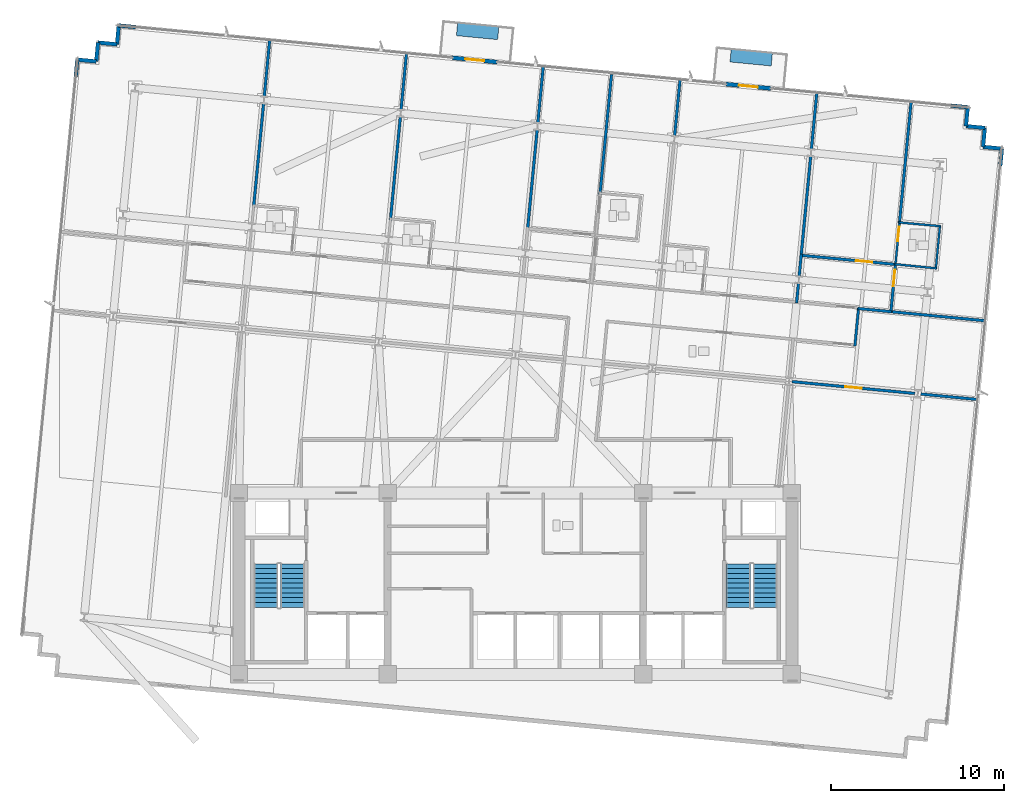
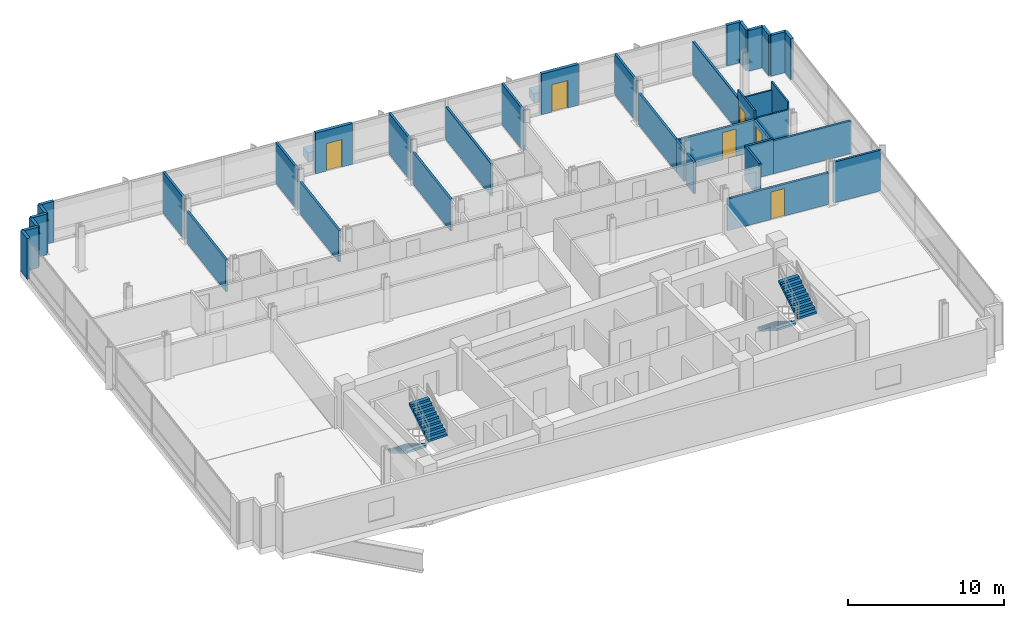
# One storey, part 13 of 18: 38 walls, 6 doors, 4 stair flights, 2 discrete accessories, 6 openings, 2 elements without a shape of their own.
"""IFC4 building model written with IfcOpenShell, lengths in metres."""

from ifc_helpers import new_model, si_unit, direction, frame, frame_2d, origin, origin_2d, place, context, subcontext, project, spatial, polyline, rectangle, outline, extrude, material, layer, layer_set, type_object, element, fill, aggregate, save


model = new_model("IFC4")

# Units and contexts
model_context = context("Model", 3, precision=1e-05, world=origin(), true_north=direction((0.0, 1.0)))
body_context = subcontext(model_context, "Body", "Model", "MODEL_VIEW")
ifc_project = project(units=[si_unit("LENGTHUNIT", "METRE"), si_unit("AREAUNIT", "SQUARE_METRE"), si_unit("VOLUMEUNIT", "CUBIC_METRE"), si_unit("PLANEANGLEUNIT", "RADIAN"), si_unit("MASSUNIT", "GRAM", prefix="KILO")], contexts=[model_context])

# Site, building, storey
site_placement = place(None, origin())
site = spatial("IfcSite", under=ifc_project, at=site_placement, CompositionType="ELEMENT")
building_placement = place(site_placement, origin())
building = spatial("IfcBuilding", under=site, at=building_placement, Name="Solmavex Isthmus Hotel", CompositionType="ELEMENT")
storey_placement = place(building_placement, frame((0.0, 0.0, 135.89990234375)))
storey = spatial("IfcBuildingStorey", under=building, at=storey_placement, Name="L36", CompositionType="ELEMENT", Elevation=135.89990234375)

# Wall, opening, door
ifc_material_1 = material(Name="Precast Concrete C40/50", Category="concrete")
ifc_layer_1 = layer(ifc_material_1, 0.25)
ifc_layer_set_1 = layer_set([ifc_layer_1], Name="Precast Concrete C40/50")
wall_type_1 = type_object("IfcWallType", Name="EW-TWR-250", PredefinedType="STANDARD", material=ifc_layer_set_1)
wall_1_placement = place(storey_placement, frame((-3.64404296875, 22.698974609375, 0.0), z_axis=(0.0, 0.0, 1.0), x_axis=(0.995393186867, -0.095877022999, 0.0)))
wall_1 = element("IfcWall", 1, at=wall_1_placement, inside=storey, type_object=wall_type_1, Name="Exterior Balcony Door Wall L36-2", PredefinedType="STANDARD", context=body_context, shape_type="SweptSolid", body=[
    extrude(rectangle(XDim=2.599853515625, YDim=0.239990234375, at=frame_2d((1.2998046875, 0.0))), origin(), (0.0, 0.0, 1.0), 3.190185546875),
])
opening_1_placement = place(wall_1_placement, frame((0.75, 0.0, 0.0)))
opening_1 = element("IfcOpeningElement", 2, at=opening_1_placement, cuts=wall_1, Name="Opening ED-02", PredefinedType="OPENING", context=body_context, shape_type="SweptSolid", body=[
    extrude(rectangle(XDim=1.10009765625, YDim=2.14990234375, at=frame_2d((0.550048828125, 1.074951171875))), frame((0.0, 0.1298828125, 0.0), z_axis=(0.0, -1.0, 0.0), x_axis=(1.0, 0.0, 0.0)), (0.0, 0.0, 1.0), 0.260009765625),
])
ifc_material_2 = material(Name="Aluminium alloy 6063-T6", Category="aluminium")
door_type_1 = type_object("IfcDoorType", Name="EDR-BALC-1100", OperationType="NOTDEFINED", PredefinedType="DOOR", material=ifc_material_2)
door_1_placement = place(opening_1_placement, origin())
door_1 = element("IfcDoor", 3, at=door_1_placement, inside=storey, type_object=door_type_1, Name="Balcony & Terrace Glazed Door L36-2", OperationType="SINGLE_SWING_RIGHT", OverallHeight=2.14990234375, OverallWidth=1.10009765625, PredefinedType="DOOR", context=body_context, shape_type="SweptSolid", body=[
    extrude(rectangle(XDim=1.10009765625, YDim=2.14990234375, at=frame_2d((0.550048828125, 1.074951171875))), frame((0.0, 0.02490234375, 0.0), z_axis=(0.0, -1.0, 0.0), x_axis=(1.0, 0.0, 0.0)), (0.0, 0.0, 1.0), 0.050048828125),
])
fill(opening_1, door_1)

wall_2_placement = place(storey_placement, frame((12.194580078125, 21.173828125, 0.0), z_axis=(0.0, 0.0, 1.0), x_axis=(0.995394049959, -0.095868061976, 0.0)))
wall_2 = element("IfcWall", 4, at=wall_2_placement, inside=storey, type_object=wall_type_1, Name="Exterior Balcony Door Wall L36-3", PredefinedType="STANDARD", context=body_context, shape_type="SweptSolid", body=[
    extrude(rectangle(XDim=2.60009765625, YDim=0.239990234375, at=frame_2d((1.300048828125, 0.0))), origin(), (0.0, 0.0, 1.0), 3.190185546875),
])
opening_2_placement = place(wall_2_placement, frame((0.75, 0.0, 0.0)))
opening_2 = element("IfcOpeningElement", 5, at=opening_2_placement, cuts=wall_2, Name="Opening ED-02", PredefinedType="OPENING", context=body_context, shape_type="SweptSolid", body=[
    extrude(rectangle(XDim=1.10009765625, YDim=2.14990234375, at=frame_2d((0.550048828125, 1.074951171875))), frame((0.0, 0.1298828125, 0.0), z_axis=(0.0, -1.0, 0.0), x_axis=(1.0, 0.0, 0.0)), (0.0, 0.0, 1.0), 0.260009765625),
])
door_2_placement = place(opening_2_placement, origin())
door_2 = element("IfcDoor", 6, at=door_2_placement, inside=storey, type_object=door_type_1, Name="Balcony & Terrace Glazed Door L36-3", OperationType="SINGLE_SWING_LEFT", OverallHeight=2.14990234375, OverallWidth=1.10009765625, PredefinedType="DOOR", context=body_context, shape_type="SweptSolid", body=[
    extrude(rectangle(XDim=1.10009765625, YDim=2.14990234375, at=frame_2d((0.550048828125, 1.074951171875))), frame((0.0, 0.02490234375, 0.0), z_axis=(0.0, -1.0, 0.0), x_axis=(1.0, 0.0, 0.0)), (0.0, 0.0, 1.0), 0.050048828125),
])
fill(opening_2, door_2)

# Walls
wall_3_placement = place(storey_placement, frame((-25.46142578125, 21.60498046875, 0.0), z_axis=(0.0, 0.0, 1.0), x_axis=(0.095937974524, 0.995387314086, 0.0)))
element("IfcWall", 7, at=wall_3_placement, inside=storey, type_object=wall_type_1, Name="Serrated Corner Facade Panel L36-07", PredefinedType="STANDARD", context=body_context, shape_type="SweptSolid", body=[
    extrude(rectangle(XDim=0.989990234375, YDim=0.219970703125, at=frame_2d((0.4951171875, 0.0))), origin(), (0.0, 0.0, 1.0), 3.190185546875),
])
for number, where, z_axis, x_axis, name in (
    (8, (-25.366455078125, 22.59033203125, 0.0), (0.0, 0.0, 1.0), (0.995414313875, -0.095657429048, 0.0), "Serrated Corner Facade Panel L36-08"),
    (9, (-24.271484375, 22.485107421875, 0.0), (0.0, 0.0, 1.0), (0.095657429048, 0.995414313875, 0.0), "Serrated Corner Facade Panel L36-09"),
    (10, (-24.166259765625, 23.580078125, 0.0), (0.0, 0.0, 1.0), (0.995393156894, -0.095877334176, 0.0), "Serrated Corner Facade Panel L36-10"),
    (11, (-23.0712890625, 23.474609375, 0.0), (0.0, 0.0, 1.0), (0.095877334176, 0.995393156894, 0.0), "Serrated Corner Facade Panel L36-11"),
):
    element("IfcWall", number, at=place(storey_placement, frame(where, z_axis=z_axis, x_axis=x_axis)), inside=storey, type_object=wall_type_1, Name=name, PredefinedType="STANDARD", context=body_context, shape_type="SweptSolid", body=[
        extrude(rectangle(XDim=1.10009765625, YDim=0.219970703125, at=frame_2d((0.550048828125, 0.0))), origin(), (0.0, 0.0, 1.0), 3.190185546875),
    ])
for number, where, z_axis, x_axis, name in (
    (12, (-22.9658203125, 24.569580078125, 0.0), (0.0, 0.0, 1.0), (0.995387314086, -0.095937974524, 0.0), "Serrated Corner Facade Panel L36-12"),
    (13, (25.201416015625, 19.931396484375, 0.0), (0.0, 0.0, 1.0), (0.99541083642, -0.095693608655, 0.0), "Serrated Corner Facade Panel L36-14"),
):
    element("IfcWall", number, at=place(storey_placement, frame(where, z_axis=z_axis, x_axis=x_axis)), inside=storey, type_object=wall_type_1, Name=name, PredefinedType="STANDARD", context=body_context, shape_type="SweptSolid", body=[
        extrude(rectangle(XDim=0.989990234375, YDim=0.219970703125, at=frame_2d((0.4951171875, 0.0))), origin(), (0.0, 0.0, 1.0), 3.190185546875),
    ])
wall_4_placement = place(storey_placement, frame((26.186767578125, 19.836669921875, 0.0), z_axis=(0.0, 0.0, 1.0), x_axis=(-0.095657429048, -0.995414313875, 0.0)))
element("IfcWall", 14, at=wall_4_placement, inside=storey, type_object=wall_type_1, Name="Serrated Corner Facade Panel L36-15", PredefinedType="STANDARD", context=body_context, shape_type="SweptSolid", body=[
    extrude(rectangle(XDim=1.10009765625, YDim=0.219970703125, at=frame_2d((0.550048828125, 0.0))), origin(), (0.0, 0.0, 1.0), 3.190185546875),
])
wall_5_placement = place(storey_placement, frame((26.08154296875, 18.74169921875, 0.0), z_axis=(0.0, 0.0, 1.0), x_axis=(0.995391116058, -0.095898519656, 0.0)))
element("IfcWall", 15, at=wall_5_placement, inside=storey, type_object=wall_type_1, Name="Serrated Corner Facade Panel L36-16", PredefinedType="STANDARD", context=body_context, shape_type="SweptSolid", body=[
    extrude(rectangle(XDim=1.099853515625, YDim=0.219970703125, at=frame_2d((0.5498046875, 0.0))), origin(), (0.0, 0.0, 1.0), 3.190185546875),
])
wall_6_placement = place(storey_placement, frame((27.17626953125, 18.63623046875, 0.0), z_axis=(0.0, 0.0, 1.0), x_axis=(-0.095657429048, -0.995414313875, 0.0)))
element("IfcWall", 16, at=wall_6_placement, inside=storey, type_object=wall_type_1, Name="Serrated Corner Facade Panel L36-17", PredefinedType="STANDARD", context=body_context, shape_type="SweptSolid", body=[
    extrude(rectangle(XDim=1.10009765625, YDim=0.219970703125, at=frame_2d((0.550048828125, 0.0))), origin(), (0.0, 0.0, 1.0), 3.190185546875),
])
wall_7_placement = place(storey_placement, frame((27.071044921875, 17.541259765625, 0.0), z_axis=(0.0, 0.0, 1.0), x_axis=(0.995391116058, -0.095898519656, 0.0)))
element("IfcWall", 17, at=wall_7_placement, inside=storey, type_object=wall_type_1, Name="Serrated Corner Facade Panel L36-18", PredefinedType="STANDARD", context=body_context, shape_type="SweptSolid", body=[
    extrude(rectangle(XDim=1.099853515625, YDim=0.219970703125, at=frame_2d((0.5498046875, 0.0))), origin(), (0.0, 0.0, 1.0), 3.190185546875),
])
wall_8_placement = place(storey_placement, frame((28.165771484375, 17.435791015625, 0.0), z_axis=(0.0, 0.0, 1.0), x_axis=(-0.095693608655, -0.99541083642, 0.0)))
element("IfcWall", 18, at=wall_8_placement, inside=storey, type_object=wall_type_1, Name="Serrated Corner Facade Panel L36-19", PredefinedType="STANDARD", context=body_context, shape_type="SweptSolid", body=[
    extrude(rectangle(XDim=0.989990234375, YDim=0.219970703125, at=frame_2d((0.4951171875, 0.0))), origin(), (0.0, 0.0, 1.0), 3.190185546875),
])
ifc_material_3 = material(Name="Gypsum plasterboard lining", Category="gypsum")
ifc_layer_2 = layer(ifc_material_3, 0.159912109375)
ifc_layer_set_2 = layer_set([ifc_layer_2], Name="Gypsum plasterboard lining")
wall_type_2 = type_object("IfcWallType", Name="IW-COMP-160", PredefinedType="PARTITIONING", material=ifc_layer_set_2)
wall_9_placement = place(storey_placement, frame((-14.57958984375, 20.0791015625, 0.0), z_axis=(0.0, 0.0, 1.0), x_axis=(-0.095823018237, -0.995398387168, 0.0)))
element("IfcWall", 19, at=wall_9_placement, inside=storey, type_object=wall_type_2, Name="Interior Partition Wall W-L36-P025", PredefinedType="PARTITIONING", context=body_context, shape_type="SweptSolid", body=[
    extrude(rectangle(XDim=6.05615234375, YDim=0.159912109375, at=frame_2d((3.028076171875, 0.0))), origin(), (0.0, 0.0, 1.0), 2.4794921875),
])
wall_10_placement = place(storey_placement, frame((-14.225341796875, 23.758056640625, 0.0), z_axis=(0.0, 0.0, 1.0), x_axis=(-0.095859866796, -0.995394839216, 0.0)))
element("IfcWall", 20, at=wall_10_placement, inside=storey, type_object=wall_type_2, Name="Interior Partition Wall W-L36-P026", PredefinedType="PARTITIONING", context=body_context, shape_type="SweptSolid", body=[
    extrude(rectangle(XDim=3.343994140625, YDim=0.159912109375, at=frame_2d((1.671875, 0.0))), origin(), (0.0, 0.0, 1.0), 3.190185546875),
])
wall_11_placement = place(storey_placement, frame((-6.66015625, 19.31640625, 0.0), z_axis=(0.0, 0.0, 1.0), x_axis=(-0.095866807264, -0.995394170801, 0.0)))
element("IfcWall", 21, at=wall_11_placement, inside=storey, type_object=wall_type_2, Name="Interior Partition Wall W-L36-P032", PredefinedType="PARTITIONING", context=body_context, shape_type="SweptSolid", body=[
    extrude(rectangle(XDim=6.055908203125, YDim=0.159912109375, at=frame_2d((3.02783203125, 0.0))), origin(), (0.0, 0.0, 1.0), 2.4794921875),
])
wall_12_placement = place(storey_placement, frame((-6.305908203125, 22.995361328125, 0.0), z_axis=(0.0, 0.0, 1.0), x_axis=(-0.095859866796, -0.995394839216, 0.0)))
element("IfcWall", 22, at=wall_12_placement, inside=storey, type_object=wall_type_2, Name="Interior Partition Wall W-L36-P033", PredefinedType="PARTITIONING", context=body_context, shape_type="SweptSolid", body=[
    extrude(rectangle(XDim=3.343994140625, YDim=0.159912109375, at=frame_2d((1.671875, 0.0))), origin(), (0.0, 0.0, 1.0), 3.190185546875),
])
wall_13_placement = place(storey_placement, frame((1.259033203125, 18.553955078125, 0.0), z_axis=(0.0, 0.0, 1.0), x_axis=(-0.095804555936, -0.995400164287, 0.0)))
element("IfcWall", 23, at=wall_13_placement, inside=storey, type_object=wall_type_2, Name="Interior Partition Wall W-L36-P040", PredefinedType="PARTITIONING", context=body_context, shape_type="SweptSolid", body=[
    extrude(rectangle(XDim=5.85595703125, YDim=0.159912109375, at=frame_2d((2.927978515625, 0.0))), origin(), (0.0, 0.0, 1.0), 2.4794921875),
])
wall_14_placement = place(storey_placement, frame((1.61328125, 22.23291015625, 0.0), z_axis=(0.0, 0.0, 1.0), x_axis=(-0.095787528641, -0.99540180297, 0.0)))
element("IfcWall", 24, at=wall_14_placement, inside=storey, type_object=wall_type_2, Name="Interior Partition Wall W-L36-P041", PredefinedType="PARTITIONING", context=body_context, shape_type="SweptSolid", body=[
    extrude(rectangle(XDim=3.343994140625, YDim=0.159912109375, at=frame_2d((1.671875, 0.0))), origin(), (0.0, 0.0, 1.0), 3.190185546875),
])
wall_15_placement = place(storey_placement, frame((5.5615234375, 21.732177734375, 0.0), z_axis=(0.0, 0.0, 1.0), x_axis=(-0.095848800605, -0.995395904865, 0.0)))
element("IfcWall", 25, at=wall_15_placement, inside=storey, type_object=wall_type_2, Name="Interior Partition Wall W-L36-P044", PredefinedType="PARTITIONING", context=body_context, shape_type="SweptSolid", body=[
    extrude(rectangle(XDim=6.991943359375, YDim=0.159912109375, at=frame_2d((3.49609375, 0.0))), origin(), (0.0, 0.0, 1.0), 2.5576171875),
])
wall_16_placement = place(storey_placement, frame((9.53271484375, 21.470458984375, 0.0), z_axis=(0.0, 0.0, 1.0), x_axis=(-0.095859866796, -0.995394839216, 0.0)))
element("IfcWall", 26, at=wall_16_placement, inside=storey, type_object=wall_type_2, Name="Interior Partition Wall W-L36-P050", PredefinedType="PARTITIONING", context=body_context, shape_type="SweptSolid", body=[
    extrude(rectangle(XDim=3.343994140625, YDim=0.159912109375, at=frame_2d((1.671875, 0.0))), origin(), (0.0, 0.0, 1.0), 3.190185546875),
])
wall_17_placement = place(storey_placement, frame((16.389404296875, 9.6708984375, 0.0), z_axis=(0.0, 0.0, 1.0), x_axis=(-0.095811626391, -0.995399483749, 0.0)))
element("IfcWall", 27, at=wall_17_placement, inside=storey, type_object=wall_type_2, Name="Interior Partition Wall W-L36-P055", PredefinedType="PARTITIONING", context=body_context, shape_type="SweptSolid", body=[
    extrude(rectangle(XDim=1.172119140625, YDim=0.159912109375, at=frame_2d((0.5859375, 0.0))), origin(), (0.0, 0.0, 1.0), 2.4794921875),
])
wall_18_placement = place(storey_placement, frame((16.550537109375, 11.343017578125, 0.0), z_axis=(0.0, 0.0, 1.0), x_axis=(-0.095971644562, -0.995384068307, 0.0)))
element("IfcWall", 28, at=wall_18_placement, inside=storey, type_object=wall_type_2, Name="Interior Partition Wall W-L36-P056", PredefinedType="PARTITIONING", context=body_context, shape_type="SweptSolid", body=[
    extrude(rectangle(XDim=1.327880859375, YDim=0.159912109375, at=frame_2d((0.6640625, 0.0))), origin(), (0.0, 0.0, 1.0), 2.4794921875),
])
wall_19_placement = place(storey_placement, frame((17.097900390625, 17.02880859375, 0.0), z_axis=(0.0, 0.0, 1.0), x_axis=(-0.095854120743, -0.995395392563, 0.0)))
element("IfcWall", 29, at=wall_19_placement, inside=storey, type_object=wall_type_2, Name="Interior Partition Wall W-L36-P057", PredefinedType="PARTITIONING", context=body_context, shape_type="SweptSolid", body=[
    extrude(rectangle(XDim=5.8759765625, YDim=0.159912109375, at=frame_2d((2.93798828125, 0.0))), origin(), (0.0, 0.0, 1.0), 2.4794921875),
])
wall_20_placement = place(storey_placement, frame((17.4521484375, 20.707763671875, 0.0), z_axis=(0.0, 0.0, 1.0), x_axis=(-0.095859866796, -0.995394839216, 0.0)))
element("IfcWall", 30, at=wall_20_placement, inside=storey, type_object=wall_type_2, Name="Interior Partition Wall W-L36-P058", PredefinedType="PARTITIONING", context=body_context, shape_type="SweptSolid", body=[
    extrude(rectangle(XDim=3.343994140625, YDim=0.159912109375, at=frame_2d((1.671875, 0.0))), origin(), (0.0, 0.0, 1.0), 3.190185546875),
])

# Wall, opening, door
wall_21_placement = place(storey_placement, frame((16.502685546875, 11.265380859375, 0.0), z_axis=(0.0, 0.0, 1.0), x_axis=(0.995393742275, -0.095871256584, 0.0)))
wall_21 = element("IfcWall", 31, at=wall_21_placement, inside=storey, type_object=wall_type_2, Name="Interior Partition Wall W-L36-P059", PredefinedType="PARTITIONING", context=body_context, shape_type="SweptSolid", body=[
    extrude(rectangle(XDim=5.564208984375, YDim=0.159912109375, at=frame_2d((2.7822265625, 0.0))), origin(), (0.0, 0.0, 1.0), 2.4794921875),
])
opening_3_placement = place(wall_21_placement, frame((3.228271484375, 0.0, 0.0)))
opening_3 = element("IfcOpeningElement", 32, at=opening_3_placement, cuts=wall_21, Name="Opening ID-C095", PredefinedType="OPENING", context=body_context, shape_type="SweptSolid", body=[
    extrude(rectangle(XDim=0.949951171875, YDim=2.14990234375, at=frame_2d((0.47509765625, 1.074951171875))), frame((0.0, 0.08984375, 0.0), z_axis=(0.0, -1.0, 0.0), x_axis=(1.0, 0.0, 0.0)), (0.0, 0.0, 1.0), 0.179931640625),
])
ifc_material_4 = material(Name="Hardwood timber", Category="wood")
door_type_2 = type_object("IfcDoorType", Name="IDR-FD60-0950", OperationType="NOTDEFINED", PredefinedType="DOOR", material=ifc_material_4)
door_3_placement = place(opening_3_placement, origin())
door_3 = element("IfcDoor", 33, at=door_3_placement, inside=storey, type_object=door_type_2, Name="Premier Hospitality Suite Master Bedroom Door L36-13", OperationType="SINGLE_SWING_LEFT", OverallHeight=2.14990234375, OverallWidth=0.949951171875, PredefinedType="DOOR", context=body_context, shape_type="SweptSolid", body=[
    extrude(rectangle(XDim=0.949951171875, YDim=2.14990234375, at=frame_2d((0.47509765625, 1.074951171875))), frame((0.0, 0.02490234375, 0.0), z_axis=(0.0, -1.0, 0.0), x_axis=(1.0, 0.0, 0.0)), (0.0, 0.0, 1.0), 0.050048828125),
])
fill(opening_3, door_3)

wall_22_placement = place(storey_placement, frame((22.006103515625, 10.78564453125, 0.0), z_axis=(0.0, 0.0, 1.0), x_axis=(-0.095851639102, -0.995395631536, 0.0)))
wall_22 = element("IfcWall", 34, at=wall_22_placement, inside=storey, type_object=wall_type_2, Name="Interior Partition Wall W-L36-P060", PredefinedType="PARTITIONING", context=body_context, shape_type="SweptSolid", body=[
    extrude(rectangle(XDim=2.840087890625, YDim=0.159912109375, at=frame_2d((1.419921875, 0.0))), origin(), (0.0, 0.0, 1.0), 2.4794921875),
])
opening_4_placement = place(wall_22_placement, frame((0.365478515625, 0.0, 0.0)))
opening_4 = element("IfcOpeningElement", 35, at=opening_4_placement, cuts=wall_22, Name="Opening ID-C095", PredefinedType="OPENING", context=body_context, shape_type="SweptSolid", body=[
    extrude(rectangle(XDim=0.949951171875, YDim=2.14990234375, at=frame_2d((0.47509765625, 1.074951171875))), frame((0.0, 0.08984375, 0.0), z_axis=(0.0, -1.0, 0.0), x_axis=(1.0, 0.0, 0.0)), (0.0, 0.0, 1.0), 0.179931640625),
])
door_4_placement = place(opening_4_placement, frame((0.949951171875, 0.0, 0.0), z_axis=(0.0, 0.0, 1.0), x_axis=(-1.0, 0.0, 0.0)))
door_4 = element("IfcDoor", 36, at=door_4_placement, inside=storey, type_object=door_type_2, Name="Premier Hospitality Suite Living Lounge Door L36-14", OperationType="SINGLE_SWING_RIGHT", OverallHeight=2.14990234375, OverallWidth=0.949951171875, PredefinedType="DOOR", context=body_context, shape_type="SweptSolid", body=[
    extrude(rectangle(XDim=0.949951171875, YDim=2.14990234375, at=frame_2d((0.47509765625, 1.074951171875))), frame((0.0, 0.02490234375, 0.0), z_axis=(0.0, -1.0, 0.0), x_axis=(1.0, 0.0, 0.0)), (0.0, 0.0, 1.0), 0.050048828125),
])
fill(opening_4, door_4)

# Walls
wall_23_placement = place(storey_placement, frame((21.777587890625, 7.99462890625, 0.0), z_axis=(0.0, 0.0, 1.0), x_axis=(-0.995397179015, 0.09583556756, 0.0)))
element("IfcWall", 37, at=wall_23_placement, inside=storey, type_object=wall_type_2, Name="Interior Partition Wall W-L36-P061", PredefinedType="PARTITIONING", context=body_context, shape_type="SweptSolid", body=[
    extrude(rectangle(XDim=1.964111328125, YDim=0.159912109375, at=frame_2d((0.98193359375, 0.0))), origin(), (0.0, 0.0, 1.0), 2.71826171875),
])
wall_24_placement = place(storey_placement, frame((22.910888671875, 20.18212890625, 0.0), z_axis=(0.0, 0.0, 1.0), x_axis=(-0.095849383604, -0.995395848727, 0.0)))
element("IfcWall", 38, at=wall_24_placement, inside=storey, type_object=wall_type_2, Name="Interior Partition Wall W-L36-P062", PredefinedType="PARTITIONING", context=body_context, shape_type="SweptSolid", body=[
    extrude(rectangle(XDim=7.1318359375, YDim=0.159912109375, at=frame_2d((3.56591796875, 0.0))), origin(), (0.0, 0.0, 1.0), 2.5576171875),
])
wall_25_placement = place(storey_placement, frame((27.236328125, 7.468994140625, 0.0), z_axis=(0.0, 0.0, 1.0), x_axis=(-0.995393338962, 0.095875443934, 0.0)))
element("IfcWall", 39, at=wall_25_placement, inside=storey, type_object=wall_type_2, Name="Interior Partition Wall W-L36-P067", PredefinedType="PARTITIONING", context=body_context, shape_type="SweptSolid", body=[
    extrude(rectangle(XDim=5.56396484375, YDim=0.159912109375, at=frame_2d((2.781982421875, 0.0))), origin(), (0.0, 0.0, 1.0), 2.5576171875),
])

# Wall, opening, door
wall_26_placement = place(storey_placement, frame((23.118408203125, 3.264404296875, 0.0), z_axis=(0.0, 0.0, 1.0), x_axis=(-0.995397927648, 0.095827791557, 0.0)))
wall_26 = element("IfcWall", 40, at=wall_26_placement, inside=storey, type_object=wall_type_2, Name="Interior Partition Wall W-L36-P074", PredefinedType="PARTITIONING", context=body_context, shape_type="SweptSolid", body=[
    extrude(rectangle(XDim=7.13623046875, YDim=0.159912109375, at=frame_2d((3.568115234375, 0.0))), origin(), (0.0, 0.0, 1.0), 2.4794921875),
])
opening_5_placement = place(wall_26_placement, frame((3.093017578125, 0.0, 0.0)))
opening_5 = element("IfcOpeningElement", 41, at=opening_5_placement, cuts=wall_26, Name="Opening ID-C095", PredefinedType="OPENING", context=body_context, shape_type="SweptSolid", body=[
    extrude(rectangle(XDim=0.949951171875, YDim=2.14990234375, at=frame_2d((0.47509765625, 1.074951171875))), frame((0.0, 0.08984375, 0.0), z_axis=(0.0, -1.0, 0.0), x_axis=(1.0, 0.0, 0.0)), (0.0, 0.0, 1.0), 0.179931640625),
])
door_5_placement = place(opening_5_placement, origin())
door_5 = element("IfcDoor", 42, at=door_5_placement, inside=storey, type_object=door_type_2, Name="Corporate Briefing Office Door L36-21", OperationType="SINGLE_SWING_LEFT", OverallHeight=2.14990234375, OverallWidth=0.949951171875, PredefinedType="DOOR", context=body_context, shape_type="SweptSolid", body=[
    extrude(rectangle(XDim=0.949951171875, YDim=2.14990234375, at=frame_2d((0.47509765625, 1.074951171875))), frame((0.0, 0.02490234375, 0.0), z_axis=(0.0, -1.0, 0.0), x_axis=(1.0, 0.0, 0.0)), (0.0, 0.0, 1.0), 0.050048828125),
])
fill(opening_5, door_5)

# Walls
wall_27_placement = place(storey_placement, frame((26.79736328125, 2.91015625, 0.0), z_axis=(0.0, 0.0, 1.0), x_axis=(-0.995394839216, 0.095859866796, 0.0)))
element("IfcWall", 43, at=wall_27_placement, inside=storey, type_object=wall_type_2, Name="Interior Partition Wall W-L36-P075", PredefinedType="PARTITIONING", context=body_context, shape_type="SweptSolid", body=[
    extrude(rectangle(XDim=3.343994140625, YDim=0.159912109375, at=frame_2d((1.671875, 0.0))), origin(), (0.0, 0.0, 1.0), 3.190185546875),
])
ifc_layer_3 = layer(ifc_material_3, 0.14990234375)
ifc_layer_set_3 = layer_set([ifc_layer_3], Name="Gypsum plasterboard lining")
wall_type_3 = type_object("IfcWallType", Name="IW-CORR-150", PredefinedType="PARTITIONING", material=ifc_layer_set_3)
wall_28_placement = place(storey_placement, frame((19.8662109375, 8.218994140625, 0.0), z_axis=(0.0, 0.0, 1.0), x_axis=(-0.095773447772, -0.995403157872, 0.0)))
element("IfcWall", 44, at=wall_28_placement, inside=storey, type_object=wall_type_3, Name="Interior Partition Wall W-L36-P015", PredefinedType="PARTITIONING", context=body_context, shape_type="SweptSolid", body=[
    extrude(rectangle(XDim=2.210205078125, YDim=0.14990234375, at=frame_2d((1.10498046875, 0.0))), origin(), (0.0, 0.0, 1.0), 2.71826171875),
])

# Wall, opening, door
ifc_layer_4 = layer(ifc_material_3, 0.1201171875)
ifc_layer_set_4 = layer_set([ifc_layer_4], Name="Gypsum plasterboard lining")
wall_type_4 = type_object("IfcWallType", Name="IW-PART-120", PredefinedType="PARTITIONING", material=ifc_layer_set_4)
wall_29_placement = place(storey_placement, frame((22.243896484375, 13.256103515625, 0.0), z_axis=(0.0, 0.0, 1.0), x_axis=(-0.095781140515, -0.995402417679, 0.0)))
wall_29 = element("IfcWall", 45, at=wall_29_placement, inside=storey, type_object=wall_type_4, Name="Interior Partition Wall W-L36-P063", PredefinedType="PARTITIONING", context=body_context, shape_type="SweptSolid", body=[
    extrude(rectangle(XDim=2.57177734375, YDim=0.1201171875, at=frame_2d((1.285888671875, 0.0))), origin(), (0.0, 0.0, 1.0), 3.190185546875),
])
opening_6_placement = place(wall_29_placement, frame((0.337646484375, 0.0, 0.0)))
opening_6 = element("IfcOpeningElement", 46, at=opening_6_placement, cuts=wall_29, Name="Opening ID-U085", PredefinedType="OPENING", context=body_context, shape_type="SweptSolid", body=[
    extrude(rectangle(XDim=0.85009765625, YDim=2.10009765625, at=frame_2d((0.425048828125, 1.050048828125))), frame((0.0, 0.070068359375, 0.0), z_axis=(0.0, -1.0, 0.0), x_axis=(1.0, 0.0, 0.0)), (0.0, 0.0, 1.0), 0.14013671875),
])
door_type_3 = type_object("IfcDoorType", Name="IDR-UNR-0850", OperationType="NOTDEFINED", PredefinedType="DOOR", material=ifc_material_4)
door_6_placement = place(opening_6_placement, frame((0.85009765625, 0.0, 0.0), z_axis=(0.0, 0.0, 1.0), x_axis=(-1.0, 0.0, 0.0)))
door_6 = element("IfcDoor", 47, at=door_6_placement, inside=storey, type_object=door_type_3, Name="En-suite Bathroom Door L36-15", OperationType="SINGLE_SWING_LEFT", OverallHeight=2.10009765625, OverallWidth=0.85009765625, PredefinedType="DOOR", context=body_context, shape_type="SweptSolid", body=[
    extrude(rectangle(XDim=0.85009765625, YDim=2.10009765625, at=frame_2d((0.425048828125, 1.050048828125))), frame((0.0, 0.02490234375, 0.0), z_axis=(0.0, -1.0, 0.0), x_axis=(1.0, 0.0, 0.0)), (0.0, 0.0, 1.0), 0.050048828125),
])
fill(opening_6, door_6)

# Walls
wall_30_placement = place(storey_placement, frame((21.96240234375, 10.749755859375, 0.0), z_axis=(0.0, 0.0, 1.0), x_axis=(0.994981332279, -0.100060723642, 0.0)))
element("IfcWall", 48, at=wall_30_placement, inside=storey, type_object=wall_type_4, Name="Interior Partition Wall W-L36-P064", PredefinedType="PARTITIONING", context=body_context, shape_type="SweptSolid", body=[
    extrude(rectangle(XDim=2.43017578125, YDim=0.1201171875, at=frame_2d((1.215087890625, 0.0))), origin(), (0.0, 0.0, 1.0), 2.5576171875),
])
wall_31_placement = place(storey_placement, frame((24.336669921875, 10.470703125, 0.0), z_axis=(0.0, 0.0, 1.0), x_axis=(0.09581536737, 0.995399123656, 0.0)))
element("IfcWall", 49, at=wall_31_placement, inside=storey, type_object=wall_type_4, Name="Interior Partition Wall W-L36-P065", PredefinedType="PARTITIONING", context=body_context, shape_type="SweptSolid", body=[
    extrude(rectangle(XDim=2.5302734375, YDim=0.1201171875, at=frame_2d((1.26513671875, 0.0))), origin(), (0.0, 0.0, 1.0), 3.190185546875),
])
wall_32_placement = place(storey_placement, frame((24.615234375, 12.94580078125, 0.0), z_axis=(0.0, 0.0, 1.0), x_axis=(-0.995802957865, 0.091523052322, 0.0)))
element("IfcWall", 50, at=wall_32_placement, inside=storey, type_object=wall_type_4, Name="Interior Partition Wall W-L36-P066", PredefinedType="PARTITIONING", context=body_context, shape_type="SweptSolid", body=[
    extrude(rectangle(XDim=2.43017578125, YDim=0.1201171875, at=frame_2d((1.215087890625, 0.0))), origin(), (0.0, 0.0, 1.0), 2.5576171875),
])

# Stair, stair flights
ifc_material_5 = material(Name="Concrete C40/50", Category="concrete")
stair_type_1 = type_object("IfcStairType", Name="STR-ST-1", PredefinedType="HALF_TURN_STAIR", material=ifc_material_5)
stair_1_placement = place(storey_placement, origin())
stair_1 = element("IfcStair", 51, at=stair_1_placement, inside=storey, type_object=stair_type_1, Name="L36 Protected Exit Stair ST-1", PredefinedType="HALF_TURN_STAIR")
stair_flight_type_1 = type_object("IfcStairFlightType", Name="SFL-ST-1", PredefinedType="STRAIGHT", material=ifc_material_5)
stair_flight_1_placement = place(storey_placement, frame((-14.449951171875, -6.60009765625, 0.0), z_axis=(0.0, 0.0, 1.0), x_axis=(0.0, -1.0, 0.0)))
stair_flight_1 = element("IfcStairFlight", 52, at=stair_flight_1_placement, type_object=stair_flight_type_1, Name="ST-1 flight 1", NumberOfRisers=10, NumberOfTreads=9, PredefinedType="STRAIGHT", RiserHeight=0.1725, TreadLength=0.28, context=body_context, shape_type="SweptSolid", body=[
    extrude(outline(polyline([(0.0, 0.0), (0.0, 0.172607421875), (0.280029296875, 0.172607421875), (0.280029296875, 0.344970703125), (0.56005859375, 0.344970703125), (0.56005859375, 0.517578125), (0.840087890625, 0.517578125), (0.840087890625, 0.68994140625), (1.1201171875, 0.68994140625), (1.1201171875, 0.862548828125), (1.39990234375, 0.862548828125), (1.39990234375, 1.034912109375), (1.679931640625, 1.034912109375), (1.679931640625, 1.20751953125), (1.9599609375, 1.20751953125), (1.9599609375, 1.3798828125), (2.239990234375, 1.3798828125), (2.239990234375, 1.552490234375), (2.52001953125, 1.552490234375), (2.52001953125, 1.72509765625), (2.52001953125, 1.37646484375), (0.285888671875, 0.0), (0.0, 0.0)])), frame((0.0, 0.699951171875, 0.0), z_axis=(0.0, -1.0, 0.0), x_axis=(1.0, 0.0, 0.0)), (0.0, 0.0, 1.0), 1.39990234375),
])
stair_flight_2_placement = place(storey_placement, frame((-12.89990234375, -9.1201171875, 1.72509765625), z_axis=(0.0, 0.0, 1.0), x_axis=(0.0, 1.0, 0.0)))
stair_flight_2 = element("IfcStairFlight", 53, at=stair_flight_2_placement, type_object=stair_flight_type_1, Name="ST-1 flight 2", NumberOfRisers=10, NumberOfTreads=9, PredefinedType="STRAIGHT", RiserHeight=0.1725, TreadLength=0.28, context=body_context, shape_type="SweptSolid", body=[
    extrude(outline(polyline([(0.0, 0.0), (0.0, 0.172607421875), (0.280029296875, 0.172607421875), (0.280029296875, 0.344970703125), (0.56005859375, 0.344970703125), (0.56005859375, 0.517578125), (0.840087890625, 0.517578125), (0.840087890625, 0.68994140625), (1.1201171875, 0.68994140625), (1.1201171875, 0.862548828125), (1.39990234375, 0.862548828125), (1.39990234375, 1.034912109375), (1.679931640625, 1.034912109375), (1.679931640625, 1.20751953125), (1.9599609375, 1.20751953125), (1.9599609375, 1.3798828125), (2.239990234375, 1.3798828125), (2.239990234375, 1.552490234375), (2.52001953125, 1.552490234375), (2.52001953125, 1.72509765625), (2.52001953125, 1.37646484375), (0.285888671875, 0.0), (0.0, 0.0)])), frame((0.0, 0.699951171875, 0.0), z_axis=(0.0, -1.0, 0.0), x_axis=(1.0, 0.0, 0.0)), (0.0, 0.0, 1.0), 1.39990234375),
])
aggregate(stair_1, [stair_flight_1, stair_flight_2])

stair_type_2 = type_object("IfcStairType", Name="STR-ST-2", PredefinedType="HALF_TURN_STAIR", material=ifc_material_5)
stair_2_placement = place(storey_placement, origin())
stair_2 = element("IfcStair", 54, at=stair_2_placement, inside=storey, type_object=stair_type_2, Name="L36 Protected Exit Stair ST-2", PredefinedType="HALF_TURN_STAIR")
stair_flight_type_2 = type_object("IfcStairFlightType", Name="SFL-ST-2", PredefinedType="STRAIGHT", material=ifc_material_5)
stair_flight_3_placement = place(storey_placement, frame((12.89990234375, -6.60009765625, 0.0), z_axis=(0.0, 0.0, 1.0), x_axis=(0.0, -1.0, 0.0)))
stair_flight_3 = element("IfcStairFlight", 55, at=stair_flight_3_placement, type_object=stair_flight_type_2, Name="ST-2 flight 1", NumberOfRisers=10, NumberOfTreads=9, PredefinedType="STRAIGHT", RiserHeight=0.1725, TreadLength=0.28, context=body_context, shape_type="SweptSolid", body=[
    extrude(outline(polyline([(0.0, 0.0), (0.0, 0.172607421875), (0.280029296875, 0.172607421875), (0.280029296875, 0.344970703125), (0.56005859375, 0.344970703125), (0.56005859375, 0.517578125), (0.840087890625, 0.517578125), (0.840087890625, 0.68994140625), (1.1201171875, 0.68994140625), (1.1201171875, 0.862548828125), (1.39990234375, 0.862548828125), (1.39990234375, 1.034912109375), (1.679931640625, 1.034912109375), (1.679931640625, 1.20751953125), (1.9599609375, 1.20751953125), (1.9599609375, 1.3798828125), (2.239990234375, 1.3798828125), (2.239990234375, 1.552490234375), (2.52001953125, 1.552490234375), (2.52001953125, 1.72509765625), (2.52001953125, 1.37646484375), (0.285888671875, 0.0), (0.0, 0.0)])), frame((0.0, 0.699951171875, 0.0), z_axis=(0.0, -1.0, 0.0), x_axis=(1.0, 0.0, 0.0)), (0.0, 0.0, 1.0), 1.39990234375),
])
stair_flight_4_placement = place(storey_placement, frame((14.449951171875, -9.1201171875, 1.72509765625), z_axis=(0.0, 0.0, 1.0), x_axis=(0.0, 1.0, 0.0)))
stair_flight_4 = element("IfcStairFlight", 56, at=stair_flight_4_placement, type_object=stair_flight_type_2, Name="ST-2 flight 2", NumberOfRisers=10, NumberOfTreads=9, PredefinedType="STRAIGHT", RiserHeight=0.1725, TreadLength=0.28, context=body_context, shape_type="SweptSolid", body=[
    extrude(outline(polyline([(0.0, 0.0), (0.0, 0.172607421875), (0.280029296875, 0.172607421875), (0.280029296875, 0.344970703125), (0.56005859375, 0.344970703125), (0.56005859375, 0.517578125), (0.840087890625, 0.517578125), (0.840087890625, 0.68994140625), (1.1201171875, 0.68994140625), (1.1201171875, 0.862548828125), (1.39990234375, 0.862548828125), (1.39990234375, 1.034912109375), (1.679931640625, 1.034912109375), (1.679931640625, 1.20751953125), (1.9599609375, 1.20751953125), (1.9599609375, 1.3798828125), (2.239990234375, 1.3798828125), (2.239990234375, 1.552490234375), (2.52001953125, 1.552490234375), (2.52001953125, 1.72509765625), (2.52001953125, 1.37646484375), (0.285888671875, 0.0), (0.0, 0.0)])), frame((0.0, 0.699951171875, 0.0), z_axis=(0.0, -1.0, 0.0), x_axis=(1.0, 0.0, 0.0)), (0.0, 0.0, 1.0), 1.39990234375),
])
aggregate(stair_2, [stair_flight_3, stair_flight_4])

# Discrete accessories
discrete_accessory_type = type_object("IfcDiscreteAccessoryType", Name="ACC-PLN-BALC", PredefinedType="USERDEFINED", material=ifc_material_1)
for number, where, z_axis, x_axis, name in (
    (57, (-2.18994140625, 24.236572265625, 0.0), (0.0, 0.0, 1.0), (0.995396198367, -0.09584575252, 0.0), "Tree-Balcony Architectural Planter L36-B1"),
    (58, (13.648681640625, 22.711669921875, 0.0), (0.0, 0.0, 1.0), (0.995396198367, -0.09584575252, 0.0), "Tree-Balcony Architectural Planter L36-B2"),
):
    element("IfcDiscreteAccessory", number, at=place(storey_placement, frame(where, z_axis=z_axis, x_axis=x_axis)), inside=storey, type_object=discrete_accessory_type, Name=name, ObjectType="PLANTER", PredefinedType="USERDEFINED", context=body_context, shape_type="SweptSolid", body=[
        extrude(rectangle(XDim=2.39990234375, YDim=0.75, at=origin_2d()), origin(), (0.0, 0.0, 1.0), 0.699951171875),
    ])

save(model, "model.ifc")
